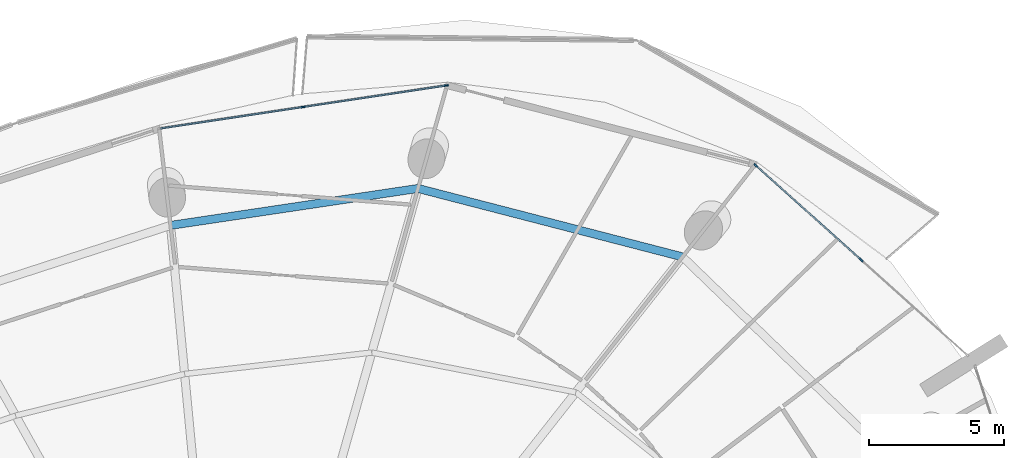
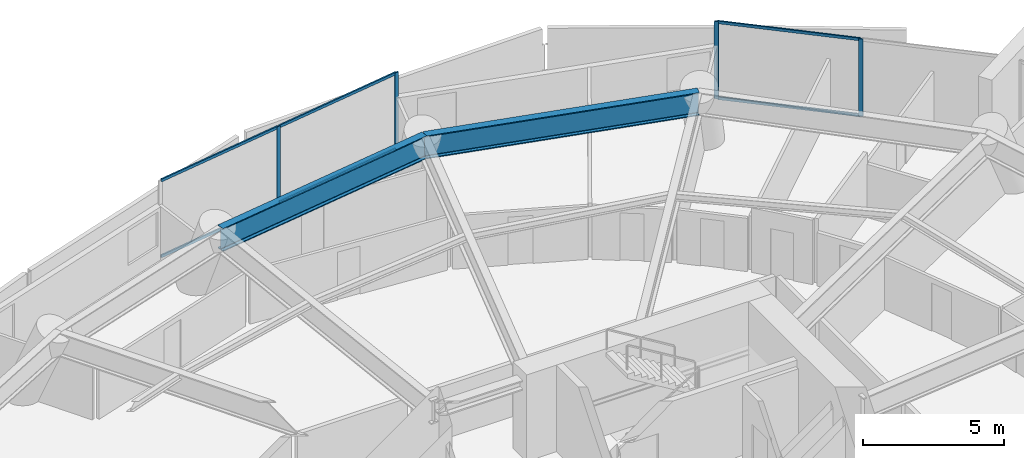
# One storey, part 15 of 31: 10 members, 2 beams, 2 elements without a shape of their own.
"""IFC4 building model written with IfcOpenShell, lengths in metres."""

import ifcopenshell
import ifcopenshell.guid

model = None  # the IFC model being written
_history = None  # IfcOwnerHistory: only IFC2X3 demands one
_inside = {}  # id of a spatial element -> (the spatial element, [elements in it])
_under = {}  # id of a project, library or spatial element -> (it, [spatial elements below it])
_declared = {}  # id of a project -> (the project, [libraries it declares])
_typed = {}  # id of a type object -> (the type object, [elements of that type])
_made_of = {}  # id of a material, layer set ... -> (it, [elements and type objects made of it])


def new_model(schema):
    """Start an empty IFC model of exactly this schema.

    Asked for "IFC4X3", IfcOpenShell would pick the latest addendum, in which some entities
    have other attributes; the version numbers below select the first issue.
    IFC2X3 requires an IfcOwnerHistory on every rooted entity: one is made here for all.
    """
    global model, _history
    if schema == "IFC4X3":
        model = ifcopenshell.file(schema_version=(4, 3, 0, 0))
    else:
        model = ifcopenshell.file(schema=schema)
    _inside.clear()
    _under.clear()
    _declared.clear()
    _typed.clear()
    _made_of.clear()
    _history = None
    if model.schema == "IFC2X3":
        org = make("IfcOrganization", Name="unknown")
        user = make(
            "IfcPersonAndOrganization",
            ThePerson=make("IfcPerson", FamilyName="unknown"),
            TheOrganization=org,
        )
        app = make(
            "IfcApplication",
            ApplicationDeveloper=org,
            Version="unknown",
            ApplicationFullName="unknown",
            ApplicationIdentifier="unknown",
        )
        _history = make(
            "IfcOwnerHistory",
            OwningUser=user,
            OwningApplication=app,
            ChangeAction="ADDED",
            CreationDate=0,
        )
    return model


def make(cls, **values):
    """One entity of the class cls with the attributes given. An attribute that is None is left unset."""
    return model.create_entity(
        cls, **{name: value for name, value in values.items() if value is not None}
    )


def rooted(cls, **values):
    """An entity with a GlobalId (a new one), such as an element, a storey or a relation."""
    return make(cls, GlobalId=ifcopenshell.guid.new(), OwnerHistory=_history, **values)


def si_unit(unit_type, name, prefix=None):
    """IfcSIUnit, for example si_unit("LENGTHUNIT", "METRE", prefix="MILLI")."""
    return make("IfcSIUnit", UnitType=unit_type, Prefix=prefix, Name=name)


def assignment(units):
    """IfcUnitAssignment: the units of a project."""
    return None if units is None else make("IfcUnitAssignment", Units=units)


def point(xyz):
    """IfcCartesianPoint."""
    return None if xyz is None else make("IfcCartesianPoint", Coordinates=xyz)


def direction(xyz):
    """IfcDirection."""
    return None if xyz is None else make("IfcDirection", DirectionRatios=xyz)


def frame(location, z_axis=None, x_axis=None):
    """IfcAxis2Placement3D, a coordinate frame: its origin and axes. An axis left out is left unset."""
    return make(
        "IfcAxis2Placement3D",
        Location=point(location),
        Axis=direction(z_axis),
        RefDirection=direction(x_axis),
    )


def frame_2d(location, x_axis=None):
    """IfcAxis2Placement2D, a coordinate frame in the plane: its origin and x axis."""
    return make(
        "IfcAxis2Placement2D", Location=point(location), RefDirection=direction(x_axis)
    )


def origin():
    """The frame at (0, 0, 0) with its axes left unset."""
    return frame((0.0, 0.0, 0.0))


def origin_2d():
    """The frame at (0, 0) in the plane with its x axis left unset."""
    return frame_2d((0.0, 0.0))


def place(relative_to, where):
    """IfcLocalPlacement: puts the frame where relative to a parent placement (None: the world)."""
    return make(
        "IfcLocalPlacement", PlacementRelTo=relative_to, RelativePlacement=where
    )


def context(
    kind, dimensions, precision=None, world=None, true_north=None, identifier=None
):
    """IfcGeometricRepresentationContext, for example the 3D "Model" context."""
    return make(
        "IfcGeometricRepresentationContext",
        ContextIdentifier=identifier,
        ContextType=kind,
        CoordinateSpaceDimension=dimensions,
        Precision=precision,
        WorldCoordinateSystem=world,
        TrueNorth=true_north,
    )


def subcontext(parent, identifier, kind, view, scale=None):
    """IfcGeometricRepresentationSubContext, for example "Body" below "Model"."""
    return make(
        "IfcGeometricRepresentationSubContext",
        ContextIdentifier=identifier,
        ContextType=kind,
        ParentContext=parent,
        TargetScale=scale,
        TargetView=view,
    )


def project(units=None, contexts=None):
    """IfcProject with its units and contexts."""
    return rooted(
        "IfcProject",
        Name="project",
        RepresentationContexts=contexts,
        UnitsInContext=assignment(units),
    )


def spatial(cls, under=None, at=None, **own):
    """A site, building, storey or space (cls), placed at a placement, below another one or the project."""
    s = rooted(cls, ObjectPlacement=at, **own)
    if under is not None:
        _under.setdefault(under.id(), (under, []))[1].append(s)
    return s


def profile(cls, at=None, kind="AREA", **sizes):
    """A parametric profile (cls). Its sizes go by their IFC names, for example OverallWidth=200.0."""
    return make(cls, ProfileType=kind, Position=at, **sizes)


def rectangle(**sizes):
    """IfcRectangleProfileDef."""
    return profile("IfcRectangleProfileDef", **sizes)


def i_section(**sizes):
    """IfcIShapeProfileDef."""
    return profile("IfcIShapeProfileDef", **sizes)


def extrude(swept, where, along, depth):
    """IfcExtrudedAreaSolid: the profile swept, set in the frame where, extruded along a direction by depth."""
    return make(
        "IfcExtrudedAreaSolid",
        SweptArea=swept,
        Position=where,
        ExtrudedDirection=direction(along),
        Depth=depth,
    )


def shape(context_of_items, identifier, shape_type, items):
    """IfcShapeRepresentation: the items that make up one representation, for example the "Body"."""
    return make(
        "IfcShapeRepresentation",
        ContextOfItems=context_of_items,
        RepresentationIdentifier=identifier,
        RepresentationType=shape_type,
        Items=items,
    )


def material(Name=None, Category=None):
    """IfcMaterial."""
    return make("IfcMaterial", Name=Name, Category=Category)


def layer(
    of_material, thickness, ventilated=None, Name=None, Category=None, Priority=None
):
    """IfcMaterialLayer: one layer of a wall or slab, of a material (None: an air gap)."""
    return make(
        "IfcMaterialLayer",
        Material=of_material,
        LayerThickness=thickness,
        IsVentilated=ventilated,
        Name=Name,
        Category=Category,
        Priority=Priority,
    )


def layer_set(layers, Name=None):
    """IfcMaterialLayerSet."""
    return make("IfcMaterialLayerSet", MaterialLayers=layers, LayerSetName=Name)


def material_profile(
    of_material, cross_section, Name=None, Category=None, Priority=None
):
    """IfcMaterialProfile: a cross section and its material."""
    return make(
        "IfcMaterialProfile",
        Name=Name,
        Material=of_material,
        Profile=cross_section,
        Priority=Priority,
        Category=Category,
    )


def profile_set(profiles, Name=None, composite=None):
    """IfcMaterialProfileSet."""
    return make(
        "IfcMaterialProfileSet",
        Name=Name,
        MaterialProfiles=profiles,
        CompositeProfile=composite,
    )


def made_of(thing, what):
    """Note that an element or type object is made of a material, layer set ...; save() writes the relation."""
    if what is not None:
        _made_of.setdefault(what.id(), (what, []))[1].append(thing)
    return thing


def type_object(cls, material=None, **own):
    """A type object (cls), such as IfcWallType, which elements share."""
    return made_of(rooted(cls, **own), material)


def element(
    cls,
    number,
    at=None,
    inside=None,
    cuts=None,
    type_object=None,
    material=None,
    context=None,
    identifier="Body",
    shape_type=None,
    held_by="IfcProductDefinitionShape",
    body=None,
    shapes=None,
    **own,
):
    """One element of the class cls, such as IfcWall. Its Tag is "e" and its number.

    at: its placement. inside: the storey or other place that contains it. cuts: it is an
    opening in that element (IfcRelVoidsElement). A single representation is given by context,
    identifier, shape_type and body (its items); several are given by shapes. held_by: the class
    of the entity that holds the representations. save() writes the other relations.
    """
    e = rooted(cls, Tag="e%d" % number, ObjectPlacement=at, **own)
    if body is not None:
        shapes = [shape(context, identifier, shape_type, body)]
    if shapes is not None:
        e.Representation = make(held_by, Representations=shapes)
    if inside is not None:
        _inside.setdefault(inside.id(), (inside, []))[1].append(e)
    if cuts is not None:
        rooted(
            "IfcRelVoidsElement", RelatingBuildingElement=cuts, RelatedOpeningElement=e
        )
    if type_object is not None:
        _typed.setdefault(type_object.id(), (type_object, []))[1].append(e)
    return made_of(e, material)


def aggregate(whole, parts):
    """IfcRelAggregates: a whole, such as a stair, and the parts it consists of."""
    return rooted("IfcRelAggregates", RelatingObject=whole, RelatedObjects=parts)


def save(model, path):
    """Write the relations noted so far, then the file.

    IfcRelAggregates (storeys below a building ...), IfcRelContainedInSpatialStructure (elements
    in a storey), IfcRelDefinesByType, IfcRelAssociatesMaterial and IfcRelDeclares: one each for
    every whole, place, type object, material and project.
    """
    for whole, parts in _under.values():
        aggregate(whole, parts)
    for where, things in _inside.values():
        rooted(
            "IfcRelContainedInSpatialStructure",
            RelatedElements=things,
            RelatingStructure=where,
        )
    for kind, things in _typed.values():
        rooted("IfcRelDefinesByType", RelatedObjects=things, RelatingType=kind)
    for what, things in _made_of.values():
        rooted("IfcRelAssociatesMaterial", RelatedObjects=things, RelatingMaterial=what)
    for by, libraries in _declared.values():
        rooted("IfcRelDeclares", RelatingContext=by, RelatedDefinitions=libraries)
    model.write(path)


model = new_model("IFC4")

# Units and contexts
model_context = context("Model", 3, precision=1e-05, world=origin(), true_north=direction((0.0, 1.0)))
body_context = subcontext(model_context, "Body", "Model", "MODEL_VIEW")
ifc_project = project(units=[si_unit("LENGTHUNIT", "METRE"), si_unit("AREAUNIT", "SQUARE_METRE"), si_unit("VOLUMEUNIT", "CUBIC_METRE"), si_unit("PLANEANGLEUNIT", "RADIAN"), si_unit("MASSUNIT", "GRAM", prefix="KILO")], contexts=[model_context])

# Site, building, storey
site_placement = place(None, origin())
site = spatial("IfcSite", under=ifc_project, at=site_placement, CompositionType="ELEMENT")
building_placement = place(site_placement, origin())
building = spatial("IfcBuilding", under=site, at=building_placement, Name="Kazma Halo Residences", CompositionType="ELEMENT")
storey_placement = place(building_placement, frame((0.0, 0.0, 71.39990234375)))
storey = spatial("IfcBuildingStorey", under=building, at=storey_placement, Name="L17", CompositionType="ELEMENT", Elevation=71.39990234375)

# Beams
ifc_material_1 = material(Name="Steel S355", Category="steel")
ifc_material_profile_1 = material_profile(ifc_material_1, i_section(OverallWidth=0.300048828125, OverallDepth=1.0, WebThickness=0.01904296875, FlangeThickness=0.0400390625, FilletRadius=0.02587890625, at=origin_2d()), Name="W1000x371")
ifc_profile_set_1 = profile_set([ifc_material_profile_1], Name="Steel S355")
beam_type = type_object("IfcBeamType", Name="BM-TRANS-W1000B", PredefinedType="BEAM", material=ifc_profile_set_1)
beam_1_placement = place(storey_placement, frame((64.323486328125, 62.706298828125, 2.85009765625), z_axis=(-0.968124968683, 0.250467652626, 0.0), x_axis=(-0.250467652626, -0.968124968683, 0.0)))
element("IfcBeam", 1, at=beam_1_placement, inside=storey, type_object=beam_type, Name="L17 perimeter ring beam 02", PredefinedType="BEAM", context=body_context, shape_type="SweptSolid", body=[
    extrude(i_section(OverallWidth=0.300048828125, OverallDepth=1.0, WebThickness=0.01904296875, FlangeThickness=0.0400390625, FilletRadius=0.02587890625, at=origin_2d()), origin(), (0.0, 0.0, 1.0), 10.092529296875),
])
beam_2_placement = place(storey_placement, frame((54.552734375, 65.234130859375, 2.85009765625), z_axis=(-0.989034176303, -0.147686824414, 0.0), x_axis=(0.147686824414, -0.989034176303, 0.0)))
element("IfcBeam", 2, at=beam_2_placement, inside=storey, type_object=beam_type, Name="L17 perimeter ring beam 03", PredefinedType="BEAM", context=body_context, shape_type="SweptSolid", body=[
    extrude(i_section(OverallWidth=0.300048828125, OverallDepth=1.0, WebThickness=0.01904296875, FlangeThickness=0.0400390625, FilletRadius=0.02587890625, at=origin_2d()), origin(), (0.0, 0.0, 1.0), 9.242431640625),
])

# Curtain wall, members
ifc_material_2 = material(Name="Aluminium AW-6063 T6 and Triple-Silver Low-E Glass", Category="aluminium")
ifc_layer = layer(ifc_material_2, 0.159912109375)
ifc_layer_set = layer_set([ifc_layer], Name="Aluminium AW-6063 T6 and Triple-Silver Low-E Glass")
curtain_wall_type = type_object("IfcCurtainWallType", Name="CW-SYS-2", PredefinedType="NOTDEFINED", material=ifc_layer_set)
curtain_wall_1_placement = place(storey_placement, origin())
curtain_wall_1 = element("IfcCurtainWall", 3, at=curtain_wall_1_placement, inside=storey, type_object=curtain_wall_type, Name="L17 unitised curtain wall B01", PredefinedType="NOTDEFINED")
ifc_material_3 = material(Name="Aluminium AW-6063 T6", Category="aluminium")
ifc_material_profile_2 = material_profile(ifc_material_3, rectangle(XDim=0.06005859375, YDim=0.159912109375, at=origin_2d()), Name="CWM-60x160")
ifc_profile_set_2 = profile_set([ifc_material_profile_2], Name="Aluminium AW-6063 T6")
member_type_1 = type_object("IfcMemberType", Name="CW-SYS-2-MUL", PredefinedType="MULLION", material=ifc_profile_set_2)
member_1_placement = place(storey_placement, frame((70.92724609375, 62.590087890625, 0.0), z_axis=(0.0, 0.0, 1.0), x_axis=(-0.667821453854, -0.744321506993, 0.0)))
member_1 = element("IfcMember", 4, at=member_1_placement, type_object=member_type_1, Name="CWS-2 mullion 2", PredefinedType="MULLION", context=body_context, shape_type="SweptSolid", body=[
    extrude(rectangle(XDim=0.06005859375, YDim=0.159912109375, at=origin_2d()), origin(), (0.0, 0.0, 1.0), 3.35009765625),
])
member_2_placement = place(storey_placement, frame((67.028076171875, 66.088623046875, 0.0), z_axis=(0.0, 0.0, 1.0), x_axis=(-0.667821453854, -0.744321506993, 0.0)))
member_2 = element("IfcMember", 5, at=member_2_placement, type_object=member_type_1, Name="CWS-2 mullion 3", PredefinedType="MULLION", context=body_context, shape_type="SweptSolid", body=[
    extrude(rectangle(XDim=0.06005859375, YDim=0.159912109375, at=origin_2d()), origin(), (0.0, 0.0, 1.0), 3.35009765625),
])

curtain_wall_2_placement = place(storey_placement, origin())
curtain_wall_2 = element("IfcCurtainWall", 6, at=curtain_wall_2_placement, inside=storey, type_object=curtain_wall_type, Name="L17 unitised curtain wall B03", PredefinedType="NOTDEFINED")
member_3_placement = place(storey_placement, frame((55.596923828125, 69.037841796875, 0.0), z_axis=(0.0, 0.0, 1.0), x_axis=(0.148657272805, -0.988888777994, 0.0)))
member_3 = element("IfcMember", 7, at=member_3_placement, type_object=member_type_1, Name="CWS-2 mullion 1", PredefinedType="MULLION", context=body_context, shape_type="SweptSolid", body=[
    extrude(rectangle(XDim=0.06005859375, YDim=0.159912109375, at=origin_2d()), origin(), (0.0, 0.0, 1.0), 3.35009765625),
])
member_4_placement = place(storey_placement, frame((50.3076171875, 68.24267578125, 0.0), z_axis=(0.0, 0.0, 1.0), x_axis=(0.148657272805, -0.988888777994, 0.0)))
member_4 = element("IfcMember", 8, at=member_4_placement, type_object=member_type_1, Name="CWS-2 mullion 2", PredefinedType="MULLION", context=body_context, shape_type="SweptSolid", body=[
    extrude(rectangle(XDim=0.06005859375, YDim=0.159912109375, at=origin_2d()), origin(), (0.0, 0.0, 1.0), 3.35009765625),
])

# Member
ifc_material_profile_3 = material_profile(ifc_material_3, rectangle(XDim=0.06005859375, YDim=0.1201171875, at=origin_2d()), Name="CWT-60x120")
ifc_profile_set_3 = profile_set([ifc_material_profile_3], Name="Aluminium AW-6063 T6")
member_type_2 = type_object("IfcMemberType", Name="CW-SYS-2-TRN", PredefinedType="USERDEFINED", material=ifc_profile_set_3)
member_5_placement = place(storey_placement, frame((70.905029296875, 62.6103515625, 0.030029296875), z_axis=(-0.744329408538, 0.66781264707, 0.0), x_axis=(-0.66781264707, -0.744329408538, 0.0)))
member_5 = element("IfcMember", 9, at=member_5_placement, type_object=member_type_2, Name="CWS-2 transom 2.1", ObjectType="TRANSOM", PredefinedType="USERDEFINED", context=body_context, shape_type="SweptSolid", body=[
    extrude(rectangle(XDim=0.06005859375, YDim=0.1201171875, at=origin_2d()), origin(), (0.0, 0.0, 1.0), 5.178466796875),
])

member_6_placement = place(storey_placement, frame((70.905029296875, 62.6103515625, 3.320068359375), z_axis=(-0.744329408538, 0.66781264707, 0.0), x_axis=(-0.66781264707, -0.744329408538, 0.0)))
member_6 = element("IfcMember", 10, at=member_6_placement, type_object=member_type_2, Name="CWS-2 transom 2.2", ObjectType="TRANSOM", PredefinedType="USERDEFINED", context=body_context, shape_type="SweptSolid", body=[
    extrude(rectangle(XDim=0.06005859375, YDim=0.1201171875, at=origin_2d()), origin(), (0.0, 0.0, 1.0), 5.178466796875),
])

aggregate(curtain_wall_1, [member_1, member_2, member_5, member_6])

member_7_placement = place(storey_placement, frame((55.5673828125, 69.033203125, 0.030029296875), z_axis=(-0.988890934274, -0.148642928222, 0.0), x_axis=(0.148642928222, -0.988890934274, 0.0)))
member_7 = element("IfcMember", 11, at=member_7_placement, type_object=member_type_2, Name="CWS-2 transom 1.1", ObjectType="TRANSOM", PredefinedType="USERDEFINED", context=body_context, shape_type="SweptSolid", body=[
    extrude(rectangle(XDim=0.06005859375, YDim=0.1201171875, at=origin_2d()), origin(), (0.0, 0.0, 1.0), 5.288818359375),
])

member_8_placement = place(storey_placement, frame((55.5673828125, 69.033203125, 3.320068359375), z_axis=(-0.988890934274, -0.148642928222, 0.0), x_axis=(0.148642928222, -0.988890934274, 0.0)))
member_8 = element("IfcMember", 12, at=member_8_placement, type_object=member_type_2, Name="CWS-2 transom 1.2", ObjectType="TRANSOM", PredefinedType="USERDEFINED", context=body_context, shape_type="SweptSolid", body=[
    extrude(rectangle(XDim=0.06005859375, YDim=0.1201171875, at=origin_2d()), origin(), (0.0, 0.0, 1.0), 5.288818359375),
])

member_9_placement = place(storey_placement, frame((50.278076171875, 68.238037109375, 0.030029296875), z_axis=(-0.98889195415, -0.148636143041, 0.0), x_axis=(0.148636143041, -0.98889195415, 0.0)))
member_9 = element("IfcMember", 13, at=member_9_placement, type_object=member_type_2, Name="CWS-2 transom 2.1", ObjectType="TRANSOM", PredefinedType="USERDEFINED", context=body_context, shape_type="SweptSolid", body=[
    extrude(rectangle(XDim=0.06005859375, YDim=0.1201171875, at=origin_2d()), origin(), (0.0, 0.0, 1.0), 5.2890625),
])

member_10_placement = place(storey_placement, frame((50.278076171875, 68.238037109375, 3.320068359375), z_axis=(-0.98889195415, -0.148636143041, 0.0), x_axis=(0.148636143041, -0.98889195415, 0.0)))
member_10 = element("IfcMember", 14, at=member_10_placement, type_object=member_type_2, Name="CWS-2 transom 2.2", ObjectType="TRANSOM", PredefinedType="USERDEFINED", context=body_context, shape_type="SweptSolid", body=[
    extrude(rectangle(XDim=0.06005859375, YDim=0.1201171875, at=origin_2d()), origin(), (0.0, 0.0, 1.0), 5.2890625),
])

aggregate(curtain_wall_2, [member_3, member_4, member_7, member_8, member_9, member_10])

save(model, "model.ifc")
